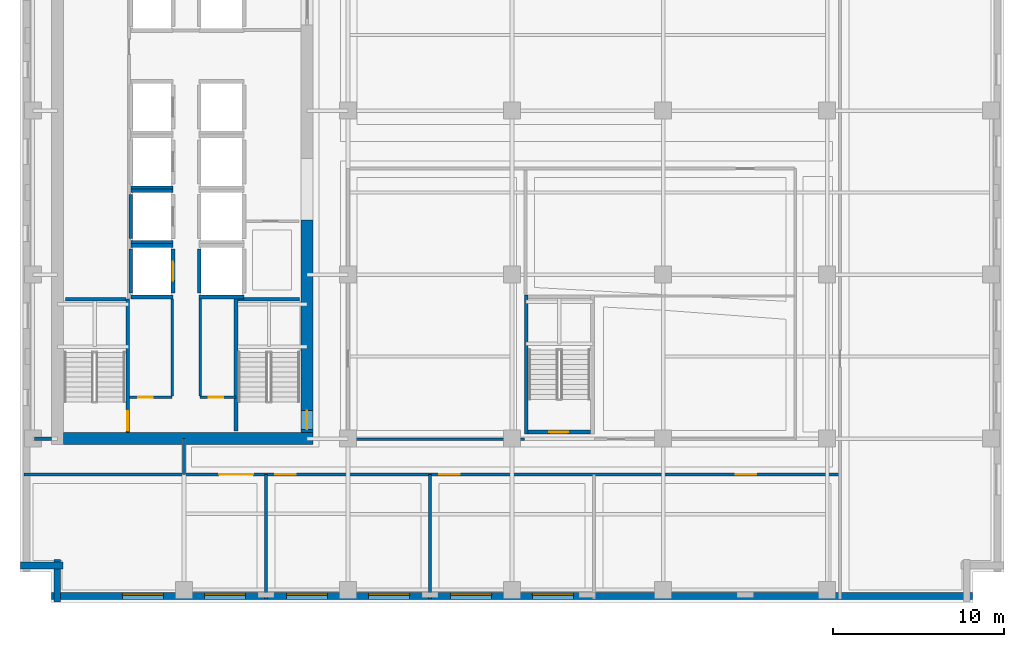
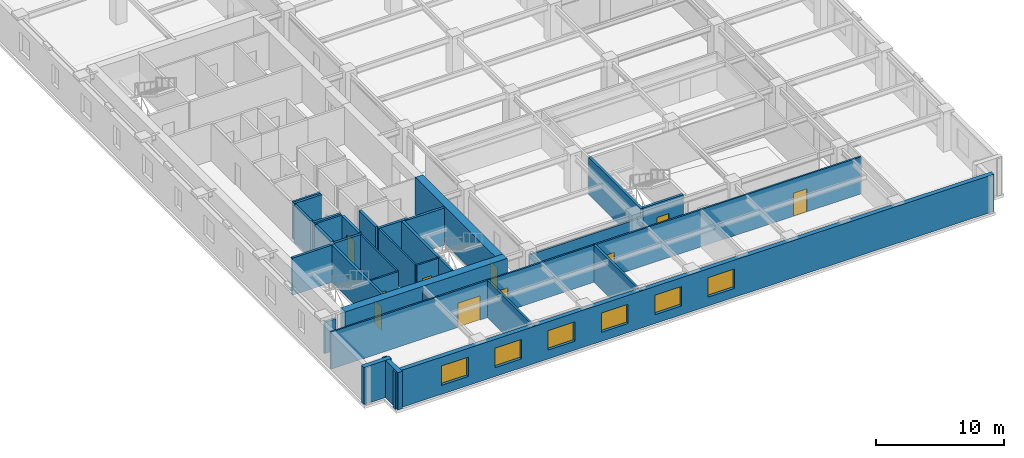
# One storey, part 3 of 11: 31 walls, 10 doors, 6 windows, 16 openings.
"""IFC4 building model written with IfcOpenShell, lengths in metres."""

from ifc_helpers import new_model, si_unit, direction, frame, frame_2d, origin, place, context, subcontext, project, spatial, rectangle, extrude, material, layer, layer_set, type_object, element, fill, save


model = new_model("IFC4")

# Units and contexts
model_context = context("Model", 3, precision=1e-05, world=origin(), true_north=direction((0.0, 1.0)))
body_context = subcontext(model_context, "Body", "Model", "MODEL_VIEW")
ifc_project = project(units=[si_unit("LENGTHUNIT", "METRE"), si_unit("AREAUNIT", "SQUARE_METRE"), si_unit("VOLUMEUNIT", "CUBIC_METRE"), si_unit("PLANEANGLEUNIT", "RADIAN"), si_unit("MASSUNIT", "GRAM", prefix="KILO")], contexts=[model_context])

# Site, building, storey
site_placement = place(None, origin())
site = spatial("IfcSite", under=ifc_project, at=site_placement, CompositionType="ELEMENT")
building_placement = place(site_placement, origin())
building = spatial("IfcBuilding", under=site, at=building_placement, Name="Norrvale University Quadrangle", CompositionType="ELEMENT")
storey_placement = place(building_placement, frame((0.0, 0.0, 120.39990234375)))
storey = spatial("IfcBuildingStorey", under=building, at=storey_placement, Name="L30", CompositionType="ELEMENT", Elevation=120.39990234375)

# Wall
ifc_material_1 = material(Name="Concrete C60/75", Category="concrete")
ifc_layer_1 = layer(ifc_material_1, 0.699951171875, Name="Concrete C60/75")
ifc_layer_set_1 = layer_set([ifc_layer_1], Name="Concrete C60/75")
wall_type_1 = type_object("IfcWallType", Name="Wall Core 700", PredefinedType="SHEAR", material=ifc_layer_set_1)
wall_1_placement = place(storey_placement, frame((2.550048828125, 9.60009765625, 0.0), z_axis=(0.0, 0.0, 1.0), x_axis=(1.0, 0.0, 0.0)))
element("IfcWall", 1, at=wall_1_placement, inside=storey, type_object=wall_type_1, Name="Tower Core Shear Wall L30-S", PredefinedType="SHEAR", context=body_context, shape_type="SweptSolid", body=[
    extrude(rectangle(XDim=14.599853515625, YDim=0.699951171875, at=frame_2d((7.2998046875, 0.0))), origin(), (0.0, 0.0, 1.0), 3.5400390625),
])

# Wall, opening, door
wall_2_placement = place(storey_placement, frame((16.800048828125, 9.949951171875, 0.0), z_axis=(0.0, 0.0, 1.0), x_axis=(0.0, 1.0, 0.0)))
wall_2 = element("IfcWall", 2, at=wall_2_placement, inside=storey, type_object=wall_type_1, Name="Tower Core Shear Wall L30-E1", PredefinedType="SHEAR", context=body_context, shape_type="SweptSolid", body=[
    extrude(rectangle(XDim=12.449951171875, YDim=0.699951171875, at=frame_2d((6.22509765625, 0.0))), origin(), (0.0, 0.0, 1.0), 3.5400390625),
])
opening_1_placement = place(wall_2_placement, frame((0.18994140625, 0.0, 0.0)))
opening_1 = element("IfcOpeningElement", 3, at=opening_1_placement, cuts=wall_2, Name="Opening D02", PredefinedType="OPENING", context=body_context, shape_type="SweptSolid", body=[
    extrude(rectangle(XDim=1.10009765625, YDim=2.199951171875, at=frame_2d((0.550048828125, 1.10009765625))), frame((0.0, 0.362060546875, 0.0), z_axis=(0.0, -1.0, 0.0), x_axis=(1.0, 0.0, 0.0)), (0.0, 0.0, 1.0), 0.723876953125),
])
ifc_material_2 = material(Name="Hollow Steel 350W Fire Door", Category="steel")
door_type_1 = type_object("IfcDoorType", Name="Door Stair Exit 1100x2200", OperationType="NOTDEFINED", PredefinedType="DOOR", material=ifc_material_2)
door_1_placement = place(opening_1_placement, origin())
door_1 = element("IfcDoor", 4, at=door_1_placement, inside=storey, type_object=door_type_1, Name="Door Stair Exit 1100x2200 DR-L30-ST03", OperationType="SINGLE_SWING_LEFT", OverallHeight=2.199951171875, OverallWidth=1.10009765625, PredefinedType="DOOR", context=body_context, shape_type="SweptSolid", body=[
    extrude(rectangle(XDim=1.10009765625, YDim=2.199951171875, at=frame_2d((0.550048828125, 1.10009765625))), frame((0.0, 0.02490234375, 0.0), z_axis=(0.0, -1.0, 0.0), x_axis=(1.0, 0.0, 0.0)), (0.0, 0.0, 1.0), 0.050048828125),
])
fill(opening_1, door_1)

ifc_material_3 = material(Name="Fire-Rated Gypsum Stud Partition")
ifc_layer_2 = layer(ifc_material_3, 0.14990234375, Name="Fire-Rated Gypsum Stud Partition")
ifc_layer_set_2 = layer_set([ifc_layer_2], Name="Fire-Rated Gypsum Stud Partition")
wall_type_2 = type_object("IfcWallType", Name="Wall Gypsum Corridor 150", PredefinedType="PARTITIONING", material=ifc_layer_set_2)
wall_3_placement = place(storey_placement, frame((6.419921875, 12.02001953125, 0.0), z_axis=(0.0, 0.0, 1.0), x_axis=(1.0, 0.0, 0.0)))
wall_3 = element("IfcWall", 5, at=wall_3_placement, inside=storey, type_object=wall_type_2, Name="Interior Partition WL-L30-SC-NL", PredefinedType="PARTITIONING", context=body_context, shape_type="SweptSolid", body=[
    extrude(rectangle(XDim=2.47998046875, YDim=0.14990234375, at=frame_2d((1.239990234375, 0.0))), origin(), (0.0, 0.0, 1.0), 3.5400390625),
])
opening_2_placement = place(wall_3_placement, frame((0.5, 0.0, 0.0)))
opening_2 = element("IfcOpeningElement", 6, at=opening_2_placement, cuts=wall_3, Name="Opening D10", PredefinedType="OPENING", context=body_context, shape_type="SweptSolid", body=[
    extrude(rectangle(XDim=0.85009765625, YDim=2.10009765625, at=frame_2d((0.425048828125, 1.050048828125))), frame((0.0, 0.0869140625, 0.0), z_axis=(0.0, -1.0, 0.0), x_axis=(1.0, 0.0, 0.0)), (0.0, 0.0, 1.0), 0.173828125),
])
ifc_material_4 = material(Name="Hollow Steel 350W Riser Fire Door", Category="steel")
door_type_2 = type_object("IfcDoorType", Name="Door Riser 850x2100", OperationType="NOTDEFINED", PredefinedType="DOOR", material=ifc_material_4)
door_2_placement = place(opening_2_placement, origin())
door_2 = element("IfcDoor", 7, at=door_2_placement, inside=storey, type_object=door_type_2, Name="Door Riser 850x2100 DR-L30-ELEC", OperationType="SINGLE_SWING_LEFT", OverallHeight=2.10009765625, OverallWidth=0.85009765625, PredefinedType="DOOR", context=body_context, shape_type="SweptSolid", body=[
    extrude(rectangle(XDim=0.85009765625, YDim=2.10009765625, at=frame_2d((0.425048828125, 1.050048828125))), frame((0.0, 0.02490234375, 0.0), z_axis=(0.0, -1.0, 0.0), x_axis=(1.0, 0.0, 0.0)), (0.0, 0.0, 1.0), 0.050048828125),
])
fill(opening_2, door_2)

wall_4_placement = place(storey_placement, frame((10.550048828125, 12.02001953125, 0.0), z_axis=(0.0, 0.0, 1.0), x_axis=(1.0, 0.0, 0.0)))
wall_4 = element("IfcWall", 8, at=wall_4_placement, inside=storey, type_object=wall_type_2, Name="Interior Partition WL-L30-SC-NR", PredefinedType="PARTITIONING", context=body_context, shape_type="SweptSolid", body=[
    extrude(rectangle(XDim=2.079833984375, YDim=0.14990234375, at=frame_2d((1.0400390625, 0.0))), origin(), (0.0, 0.0, 1.0), 3.5400390625),
])
opening_3_placement = place(wall_4_placement, frame((0.5, 0.0, 0.0)))
opening_3 = element("IfcOpeningElement", 9, at=opening_3_placement, cuts=wall_4, Name="Opening D10", PredefinedType="OPENING", context=body_context, shape_type="SweptSolid", body=[
    extrude(rectangle(XDim=0.85009765625, YDim=2.10009765625, at=frame_2d((0.425048828125, 1.050048828125))), frame((0.0, 0.0869140625, 0.0), z_axis=(0.0, -1.0, 0.0), x_axis=(1.0, 0.0, 0.0)), (0.0, 0.0, 1.0), 0.173828125),
])
door_3_placement = place(opening_3_placement, origin())
door_3 = element("IfcDoor", 10, at=door_3_placement, inside=storey, type_object=door_type_2, Name="Door Riser 850x2100 DR-L30-IDF", OperationType="SINGLE_SWING_RIGHT", OverallHeight=2.10009765625, OverallWidth=0.85009765625, PredefinedType="DOOR", context=body_context, shape_type="SweptSolid", body=[
    extrude(rectangle(XDim=0.85009765625, YDim=2.10009765625, at=frame_2d((0.425048828125, 1.050048828125))), frame((0.0, 0.02490234375, 0.0), z_axis=(0.0, -1.0, 0.0), x_axis=(1.0, 0.0, 0.0)), (0.0, 0.0, 1.0), 0.050048828125),
])
fill(opening_3, door_3)

# Walls
for number, where, z_axis, x_axis, name in (
    (11, (8.89990234375, 12.094970703125, 0.0), (0.0, 0.0, 1.0), (0.0, 1.0, 0.0), "Interior Partition WL-L30-SC-WL"),
    (12, (10.550048828125, 12.094970703125, 0.0), (0.0, 0.0, 1.0), (0.0, 1.0, 0.0), "Interior Partition WL-L30-SC-WR"),
):
    element("IfcWall", number, at=place(storey_placement, frame(where, z_axis=z_axis, x_axis=x_axis)), inside=storey, type_object=wall_type_2, Name=name, PredefinedType="PARTITIONING", context=body_context, shape_type="SweptSolid", body=[
        extrude(rectangle(XDim=5.679931640625, YDim=0.14990234375, at=frame_2d((2.83984375, 0.0))), origin(), (0.0, 0.0, 1.0), 3.5400390625),
    ])
wall_5_placement = place(storey_placement, frame((9.60009765625, 7.5, 0.0), z_axis=(0.0, 0.0, 1.0), x_axis=(0.0, 1.0, 0.0)))
element("IfcWall", 13, at=wall_5_placement, inside=storey, type_object=wall_type_2, Name="Interior Partition WL-L30-CSW-END", PredefinedType="PARTITIONING", context=body_context, shape_type="SweptSolid", body=[
    extrude(rectangle(XDim=2.10009765625, YDim=0.14990234375, at=frame_2d((1.050048828125, 0.0))), origin(), (0.0, 0.0, 1.0), 2.99609375),
])

# Wall, openings, doors
wall_6_placement = place(storey_placement, frame((0.219970703125, 7.5, 0.0), z_axis=(0.0, 0.0, 1.0), x_axis=(1.0, 0.0, 0.0)))
wall_6 = element("IfcWall", 14, at=wall_6_placement, inside=storey, type_object=wall_type_2, Name="Interior Partition WL-L30-SCW", PredefinedType="PARTITIONING", context=body_context, shape_type="SweptSolid", body=[
    extrude(rectangle(XDim=47.780029296875, YDim=0.14990234375, at=frame_2d((23.89013671875, 0.0))), origin(), (0.0, 0.0, 1.0), 3.5400390625),
])
opening_4_placement = place(wall_6_placement, frame((11.429931640625, 0.0, 0.0)))
opening_4 = element("IfcOpeningElement", 15, at=opening_4_placement, cuts=wall_6, Name="Opening D06", PredefinedType="OPENING", context=body_context, shape_type="SweptSolid", body=[
    extrude(rectangle(XDim=2.0, YDim=2.300048828125, at=frame_2d((1.0, 1.14990234375))), frame((0.0, 0.0869140625, 0.0), z_axis=(0.0, -1.0, 0.0), x_axis=(1.0, 0.0, 0.0)), (0.0, 0.0, 1.0), 0.173828125),
])
opening_5_placement = place(wall_6_placement, frame((14.72998046875, 0.0, 0.0)))
opening_5 = element("IfcOpeningElement", 16, at=opening_5_placement, cuts=wall_6, Name="Opening D05", PredefinedType="OPENING", context=body_context, shape_type="SweptSolid", body=[
    extrude(rectangle(XDim=1.199951171875, YDim=2.199951171875, at=frame_2d((0.60009765625, 1.10009765625))), frame((0.0, 0.0869140625, 0.0), z_axis=(0.0, -1.0, 0.0), x_axis=(1.0, 0.0, 0.0)), (0.0, 0.0, 1.0), 0.173828125),
])
opening_6_placement = place(wall_6_placement, frame((24.330078125, 0.0, 0.0)))
opening_6 = element("IfcOpeningElement", 17, at=opening_6_placement, cuts=wall_6, Name="Opening D05", PredefinedType="OPENING", context=body_context, shape_type="SweptSolid", body=[
    extrude(rectangle(XDim=1.199951171875, YDim=2.199951171875, at=frame_2d((0.60009765625, 1.10009765625))), frame((0.0, 0.0869140625, 0.0), z_axis=(0.0, -1.0, 0.0), x_axis=(1.0, 0.0, 0.0)), (0.0, 0.0, 1.0), 0.173828125),
])
opening_7_placement = place(wall_6_placement, frame((41.679931640625, 0.0, 0.0)))
opening_7 = element("IfcOpeningElement", 18, at=opening_7_placement, cuts=wall_6, Name="Opening D05", PredefinedType="OPENING", context=body_context, shape_type="SweptSolid", body=[
    extrude(rectangle(XDim=1.199951171875, YDim=2.199951171875, at=frame_2d((0.60009765625, 1.10009765625))), frame((0.0, 0.0869140625, 0.0), z_axis=(0.0, -1.0, 0.0), x_axis=(1.0, 0.0, 0.0)), (0.0, 0.0, 1.0), 0.173828125),
])
ifc_material_5 = material(Name="Acoustic Oak Classroom Door", Category="wood")
door_type_3 = type_object("IfcDoorType", Name="Door Classroom 1200x2200", OperationType="NOTDEFINED", PredefinedType="DOOR", material=ifc_material_5)
door_4_placement = place(opening_5_placement, origin())
door_4 = element("IfcDoor", 19, at=door_4_placement, inside=storey, type_object=door_type_3, Name="Door Classroom 1200x2200 DR-L30-S02", OperationType="SINGLE_SWING_RIGHT", OverallHeight=2.199951171875, OverallWidth=1.199951171875, PredefinedType="DOOR", context=body_context, shape_type="SweptSolid", body=[
    extrude(rectangle(XDim=1.199951171875, YDim=2.199951171875, at=frame_2d((0.60009765625, 1.10009765625))), frame((0.0, 0.02490234375, 0.0), z_axis=(0.0, -1.0, 0.0), x_axis=(1.0, 0.0, 0.0)), (0.0, 0.0, 1.0), 0.050048828125),
])
fill(opening_5, door_4)
door_5_placement = place(opening_6_placement, origin())
door_5 = element("IfcDoor", 20, at=door_5_placement, inside=storey, type_object=door_type_3, Name="Door Classroom 1200x2200 DR-L30-S03", OperationType="SINGLE_SWING_LEFT", OverallHeight=2.199951171875, OverallWidth=1.199951171875, PredefinedType="DOOR", context=body_context, shape_type="SweptSolid", body=[
    extrude(rectangle(XDim=1.199951171875, YDim=2.199951171875, at=frame_2d((0.60009765625, 1.10009765625))), frame((0.0, 0.02490234375, 0.0), z_axis=(0.0, -1.0, 0.0), x_axis=(1.0, 0.0, 0.0)), (0.0, 0.0, 1.0), 0.050048828125),
])
fill(opening_6, door_5)
door_6_placement = place(opening_7_placement, origin())
door_6 = element("IfcDoor", 21, at=door_6_placement, inside=storey, type_object=door_type_3, Name="Door Classroom 1200x2200 DR-L30-S04", OperationType="SINGLE_SWING_RIGHT", OverallHeight=2.199951171875, OverallWidth=1.199951171875, PredefinedType="DOOR", context=body_context, shape_type="SweptSolid", body=[
    extrude(rectangle(XDim=1.199951171875, YDim=2.199951171875, at=frame_2d((0.60009765625, 1.10009765625))), frame((0.0, 0.02490234375, 0.0), z_axis=(0.0, -1.0, 0.0), x_axis=(1.0, 0.0, 0.0)), (0.0, 0.0, 1.0), 0.050048828125),
])
fill(opening_7, door_6)
ifc_material_6 = material(Name="Acoustic Oak Double Door", Category="wood")
door_type_4 = type_object("IfcDoorType", Name="Door Lecture Dbl 2000x2300", OperationType="DOUBLE_SWING_LEFT", PredefinedType="DOOR", material=ifc_material_6)
door_7_placement = place(opening_4_placement, origin())
door_7 = element("IfcDoor", 22, at=door_7_placement, inside=storey, type_object=door_type_4, Name="Door Lecture Dbl 2000x2300 DR-L30-S01", OperationType="DOUBLE_SWING_LEFT", OverallHeight=2.300048828125, OverallWidth=2.0, PredefinedType="DOOR", context=body_context, shape_type="SweptSolid", body=[
    extrude(rectangle(XDim=2.0, YDim=2.300048828125, at=frame_2d((1.0, 1.14990234375))), frame((0.0, 0.02490234375, 0.0), z_axis=(0.0, -1.0, 0.0), x_axis=(1.0, 0.0, 0.0)), (0.0, 0.0, 1.0), 0.050048828125),
])
fill(opening_4, door_7)

# Walls
wall_7_placement = place(storey_placement, frame((19.280029296875, 9.550048828125, 0.0), z_axis=(0.0, 0.0, 1.0), x_axis=(1.0, 0.0, 0.0)))
element("IfcWall", 23, at=wall_7_placement, inside=storey, type_object=wall_type_2, Name="Interior Partition WL-L30-ISLS1", PredefinedType="PARTITIONING", context=body_context, shape_type="SweptSolid", body=[
    extrude(rectangle(XDim=10.244873046875, YDim=0.14990234375, at=frame_2d((5.12255859375, 0.0))), origin(), (0.0, 0.0, 1.0), 2.99609375),
])
ifc_material_7 = material(Name="Acoustic Double-Stud Gypsum Partition")
ifc_layer_3 = layer(ifc_material_7, 0.179931640625, Name="Acoustic Double-Stud Gypsum Partition")
ifc_layer_set_3 = layer_set([ifc_layer_3], Name="Acoustic Double-Stud Gypsum Partition")
wall_type_3 = type_object("IfcWallType", Name="Wall Gypsum Lecture 180", PredefinedType="PARTITIONING", material=ifc_layer_set_3)
for number, where, z_axis, x_axis, name in (
    (24, (14.39990234375, 0.219970703125, 0.0), (0.0, 0.0, 1.0), (0.0, 1.0, 0.0), "Interior Partition WL-L30-SP01"),
    (25, (24.0, 0.219970703125, 0.0), (0.0, 0.0, 1.0), (0.0, 1.0, 0.0), "Interior Partition WL-L30-SP02"),
):
    element("IfcWall", number, at=place(storey_placement, frame(where, z_axis=z_axis, x_axis=x_axis)), inside=storey, type_object=wall_type_3, Name=name, PredefinedType="PARTITIONING", context=body_context, shape_type="SweptSolid", body=[
        extrude(rectangle(XDim=7.280029296875, YDim=0.179931640625, at=frame_2d((3.64013671875, 0.0))), origin(), (0.0, 0.0, 1.0), 3.5400390625),
    ])
ifc_material_8 = material(Name="Concrete Blockwork 20 MPa Rated Wall", Category="masonry")
ifc_layer_4 = layer(ifc_material_8, 0.199951171875, Name="Concrete Blockwork 20 MPa Rated Wall")
ifc_layer_set_4 = layer_set([ifc_layer_4], Name="Concrete Blockwork 20 MPa Rated Wall")
wall_type_4 = type_object("IfcWallType", Name="Wall Lobby 200", PredefinedType="SOLIDWALL", material=ifc_layer_set_4)
wall_8_placement = place(storey_placement, frame((0.85009765625, 9.60009765625, 0.0), z_axis=(0.0, 0.0, 1.0), x_axis=(1.0, 0.0, 0.0)))
element("IfcWall", 26, at=wall_8_placement, inside=storey, type_object=wall_type_4, Name="Interior Partition WL-L30-CWRET-S", PredefinedType="SOLIDWALL", context=body_context, shape_type="SweptSolid", body=[
    extrude(rectangle(XDim=0.994873046875, YDim=0.199951171875, at=frame_2d((0.49755859375, 0.0))), origin(), (0.0, 0.0, 1.0), 2.99609375),
])

# Wall, openings, windows
ifc_material_9 = material(Name="Red Manganese Brick Masonry", Category="masonry")
ifc_layer_5 = layer(ifc_material_9, 0.39990234375, Name="Red Manganese Brick Masonry")
ifc_layer_set_5 = layer_set([ifc_layer_5], Name="Red Manganese Brick Masonry")
wall_type_5 = type_object("IfcWallType", Name="Wall Red Brick 400", PredefinedType="SOLIDWALL", material=ifc_layer_set_5)
wall_9_placement = place(storey_placement, frame((1.840087890625, 0.3798828125, 0.0), z_axis=(0.0, 0.0, 1.0), x_axis=(1.0, 0.0, 0.0)))
wall_9 = element("IfcWall", 27, at=wall_9_placement, inside=storey, type_object=wall_type_5, Name="Exterior Brick Facade Wall L30-01.1", PredefinedType="SOLIDWALL", context=body_context, shape_type="SweptSolid", body=[
    extrude(rectangle(XDim=53.919921875, YDim=0.39990234375, at=frame_2d((26.9599609375, 0.0))), origin(), (0.0, 0.0, 1.0), 3.5400390625),
])
opening_8_placement = place(wall_9_placement, frame((4.159912109375, 0.0, 0.85009765625)))
opening_8 = element("IfcOpeningElement", 28, at=opening_8_placement, cuts=wall_9, Name="Opening W02", PredefinedType="OPENING", context=body_context, shape_type="SweptSolid", body=[
    extrude(rectangle(XDim=2.39990234375, YDim=1.85009765625, at=frame_2d((1.199951171875, 0.925048828125))), frame((0.0, 0.2119140625, 0.0), z_axis=(0.0, -1.0, 0.0), x_axis=(1.0, 0.0, 0.0)), (0.0, 0.0, 1.0), 0.423828125),
])
opening_9_placement = place(wall_9_placement, frame((8.9599609375, 0.0, 0.85009765625)))
opening_9 = element("IfcOpeningElement", 29, at=opening_9_placement, cuts=wall_9, Name="Opening W02", PredefinedType="OPENING", context=body_context, shape_type="SweptSolid", body=[
    extrude(rectangle(XDim=2.39990234375, YDim=1.85009765625, at=frame_2d((1.199951171875, 0.925048828125))), frame((0.0, 0.2119140625, 0.0), z_axis=(0.0, -1.0, 0.0), x_axis=(1.0, 0.0, 0.0)), (0.0, 0.0, 1.0), 0.423828125),
])
opening_10_placement = place(wall_9_placement, frame((13.760009765625, 0.0, 0.85009765625)))
opening_10 = element("IfcOpeningElement", 30, at=opening_10_placement, cuts=wall_9, Name="Opening W02", PredefinedType="OPENING", context=body_context, shape_type="SweptSolid", body=[
    extrude(rectangle(XDim=2.39990234375, YDim=1.85009765625, at=frame_2d((1.199951171875, 0.925048828125))), frame((0.0, 0.2119140625, 0.0), z_axis=(0.0, -1.0, 0.0), x_axis=(1.0, 0.0, 0.0)), (0.0, 0.0, 1.0), 0.423828125),
])
opening_11_placement = place(wall_9_placement, frame((18.56005859375, 0.0, 0.85009765625)))
opening_11 = element("IfcOpeningElement", 31, at=opening_11_placement, cuts=wall_9, Name="Opening W02", PredefinedType="OPENING", context=body_context, shape_type="SweptSolid", body=[
    extrude(rectangle(XDim=2.39990234375, YDim=1.85009765625, at=frame_2d((1.199951171875, 0.925048828125))), frame((0.0, 0.2119140625, 0.0), z_axis=(0.0, -1.0, 0.0), x_axis=(1.0, 0.0, 0.0)), (0.0, 0.0, 1.0), 0.423828125),
])
opening_12_placement = place(wall_9_placement, frame((23.360107421875, 0.0, 0.85009765625)))
opening_12 = element("IfcOpeningElement", 32, at=opening_12_placement, cuts=wall_9, Name="Opening W02", PredefinedType="OPENING", context=body_context, shape_type="SweptSolid", body=[
    extrude(rectangle(XDim=2.39990234375, YDim=1.85009765625, at=frame_2d((1.199951171875, 0.925048828125))), frame((0.0, 0.2119140625, 0.0), z_axis=(0.0, -1.0, 0.0), x_axis=(1.0, 0.0, 0.0)), (0.0, 0.0, 1.0), 0.423828125),
])
opening_13_placement = place(wall_9_placement, frame((28.159912109375, 0.0, 0.85009765625)))
opening_13 = element("IfcOpeningElement", 33, at=opening_13_placement, cuts=wall_9, Name="Opening W02", PredefinedType="OPENING", context=body_context, shape_type="SweptSolid", body=[
    extrude(rectangle(XDim=2.39990234375, YDim=1.85009765625, at=frame_2d((1.199951171875, 0.925048828125))), frame((0.0, 0.2119140625, 0.0), z_axis=(0.0, -1.0, 0.0), x_axis=(1.0, 0.0, 0.0)), (0.0, 0.0, 1.0), 0.423828125),
])
ifc_material_10 = material(Name="Triple Low-E Argon Glazing", Category="glass")
window_type = type_object("IfcWindowType", Name="Window Academic 2400x2300", PartitioningType="TRIPLE_PANEL_VERTICAL", PredefinedType="WINDOW", material=ifc_material_10)
window_1_placement = place(opening_8_placement, origin())
window_1 = element("IfcWindow", 34, at=window_1_placement, inside=storey, type_object=window_type, Name="Window Academic 2400x2300 WIN-L30-E01-1-01", OverallHeight=1.85009765625, OverallWidth=2.39990234375, PartitioningType="TRIPLE_PANEL_VERTICAL", PredefinedType="WINDOW", context=body_context, shape_type="SweptSolid", body=[
    extrude(rectangle(XDim=2.39990234375, YDim=1.85009765625, at=frame_2d((1.199951171875, 0.925048828125))), frame((0.0, 0.110107421875, 0.0), z_axis=(0.0, -1.0, 0.0), x_axis=(1.0, 0.0, 0.0)), (0.0, 0.0, 1.0), 0.06005859375),
])
fill(opening_8, window_1)
window_2_placement = place(opening_9_placement, origin())
window_2 = element("IfcWindow", 35, at=window_2_placement, inside=storey, type_object=window_type, Name="Window Academic 2400x2300 WIN-L30-E01-1-02", OverallHeight=1.85009765625, OverallWidth=2.39990234375, PartitioningType="TRIPLE_PANEL_VERTICAL", PredefinedType="WINDOW", context=body_context, shape_type="SweptSolid", body=[
    extrude(rectangle(XDim=2.39990234375, YDim=1.85009765625, at=frame_2d((1.199951171875, 0.925048828125))), frame((0.0, 0.110107421875, 0.0), z_axis=(0.0, -1.0, 0.0), x_axis=(1.0, 0.0, 0.0)), (0.0, 0.0, 1.0), 0.06005859375),
])
fill(opening_9, window_2)
window_3_placement = place(opening_10_placement, origin())
window_3 = element("IfcWindow", 36, at=window_3_placement, inside=storey, type_object=window_type, Name="Window Academic 2400x2300 WIN-L30-E01-1-03", OverallHeight=1.85009765625, OverallWidth=2.39990234375, PartitioningType="TRIPLE_PANEL_VERTICAL", PredefinedType="WINDOW", context=body_context, shape_type="SweptSolid", body=[
    extrude(rectangle(XDim=2.39990234375, YDim=1.85009765625, at=frame_2d((1.199951171875, 0.925048828125))), frame((0.0, 0.110107421875, 0.0), z_axis=(0.0, -1.0, 0.0), x_axis=(1.0, 0.0, 0.0)), (0.0, 0.0, 1.0), 0.06005859375),
])
fill(opening_10, window_3)
window_4_placement = place(opening_11_placement, origin())
window_4 = element("IfcWindow", 37, at=window_4_placement, inside=storey, type_object=window_type, Name="Window Academic 2400x2300 WIN-L30-E01-1-04", OverallHeight=1.85009765625, OverallWidth=2.39990234375, PartitioningType="TRIPLE_PANEL_VERTICAL", PredefinedType="WINDOW", context=body_context, shape_type="SweptSolid", body=[
    extrude(rectangle(XDim=2.39990234375, YDim=1.85009765625, at=frame_2d((1.199951171875, 0.925048828125))), frame((0.0, 0.110107421875, 0.0), z_axis=(0.0, -1.0, 0.0), x_axis=(1.0, 0.0, 0.0)), (0.0, 0.0, 1.0), 0.06005859375),
])
fill(opening_11, window_4)
window_5_placement = place(opening_12_placement, origin())
window_5 = element("IfcWindow", 38, at=window_5_placement, inside=storey, type_object=window_type, Name="Window Academic 2400x2300 WIN-L30-E01-1-05", OverallHeight=1.85009765625, OverallWidth=2.39990234375, PartitioningType="TRIPLE_PANEL_VERTICAL", PredefinedType="WINDOW", context=body_context, shape_type="SweptSolid", body=[
    extrude(rectangle(XDim=2.39990234375, YDim=1.85009765625, at=frame_2d((1.199951171875, 0.925048828125))), frame((0.0, 0.110107421875, 0.0), z_axis=(0.0, -1.0, 0.0), x_axis=(1.0, 0.0, 0.0)), (0.0, 0.0, 1.0), 0.06005859375),
])
fill(opening_12, window_5)
window_6_placement = place(opening_13_placement, origin())
window_6 = element("IfcWindow", 39, at=window_6_placement, inside=storey, type_object=window_type, Name="Window Academic 2400x2300 WIN-L30-E01-1-06", OverallHeight=1.85009765625, OverallWidth=2.39990234375, PartitioningType="TRIPLE_PANEL_VERTICAL", PredefinedType="WINDOW", context=body_context, shape_type="SweptSolid", body=[
    extrude(rectangle(XDim=2.39990234375, YDim=1.85009765625, at=frame_2d((1.199951171875, 0.925048828125))), frame((0.0, 0.110107421875, 0.0), z_axis=(0.0, -1.0, 0.0), x_axis=(1.0, 0.0, 0.0)), (0.0, 0.0, 1.0), 0.06005859375),
])
fill(opening_13, window_6)

# Walls
for number, where, z_axis, x_axis, name in (
    (40, (0.0400390625, 2.179931640625, 0.0), (0.0, 0.0, 1.0), (1.0, 0.0, 0.0), "Exterior Brick Facade Wall L30-15.1"),
    (41, (2.179931640625, 2.52001953125, 0.0), (0.0, 0.0, 1.0), (0.0, -1.0, 0.0), "Exterior Brick Facade Wall L30-16.1"),
):
    element("IfcWall", number, at=place(storey_placement, frame(where, z_axis=z_axis, x_axis=x_axis)), inside=storey, type_object=wall_type_5, Name=name, PredefinedType="SOLIDWALL", context=body_context, shape_type="SweptSolid", body=[
        extrude(rectangle(XDim=2.47998046875, YDim=0.39990234375, at=frame_2d((1.239990234375, 0.0))), origin(), (0.0, 0.0, 1.0), 3.5400390625),
    ])

# Wall, opening, door
ifc_material_11 = material(Name="Concrete Blockwork 20 MPa Fire Shaft", Category="masonry")
ifc_layer_6 = layer(ifc_material_11, 0.219970703125, Name="Concrete Blockwork 20 MPa Fire Shaft")
ifc_layer_set_6 = layer_set([ifc_layer_6], Name="Concrete Blockwork 20 MPa Fire Shaft")
wall_type_6 = type_object("IfcWallType", Name="Wall Shaft 220", PredefinedType="SOLIDWALL", material=ifc_layer_set_6)
wall_10_placement = place(storey_placement, frame((6.31005859375, 9.949951171875, 0.0), z_axis=(0.0, 0.0, 1.0), x_axis=(0.0, 1.0, 0.0)))
wall_10 = element("IfcWall", 42, at=wall_10_placement, inside=storey, type_object=wall_type_6, Name="Stair ST-01 East Shaft Wall L30", PredefinedType="SOLIDWALL", context=body_context, shape_type="SweptSolid", body=[
    extrude(rectangle(XDim=7.81005859375, YDim=0.219970703125, at=frame_2d((3.905029296875, 0.0))), origin(), (0.0, 0.0, 1.0), 3.5400390625),
])
opening_14_placement = place(wall_10_placement, frame((0.139892578125, 0.0, 0.0)))
opening_14 = element("IfcOpeningElement", 43, at=opening_14_placement, cuts=wall_10, Name="Opening D02", PredefinedType="OPENING", context=body_context, shape_type="SweptSolid", body=[
    extrude(rectangle(XDim=1.10009765625, YDim=2.199951171875, at=frame_2d((0.550048828125, 1.10009765625))), frame((0.0, 0.1220703125, 0.0), z_axis=(0.0, -1.0, 0.0), x_axis=(1.0, 0.0, 0.0)), (0.0, 0.0, 1.0), 0.243896484375),
])
door_8_placement = place(opening_14_placement, origin())
door_8 = element("IfcDoor", 44, at=door_8_placement, inside=storey, type_object=door_type_1, Name="Door Stair Exit 1100x2200 DR-L30-ST01", OperationType="SINGLE_SWING_LEFT", OverallHeight=2.199951171875, OverallWidth=1.10009765625, PredefinedType="DOOR", context=body_context, shape_type="SweptSolid", body=[
    extrude(rectangle(XDim=1.10009765625, YDim=2.199951171875, at=frame_2d((0.550048828125, 1.10009765625))), frame((0.0, 0.02490234375, 0.0), z_axis=(0.0, -1.0, 0.0), x_axis=(1.0, 0.0, 0.0)), (0.0, 0.0, 1.0), 0.050048828125),
])
fill(opening_14, door_8)

# Walls
wall_11_placement = place(storey_placement, frame((2.64990234375, 17.760009765625, 0.0), z_axis=(0.0, 0.0, 1.0), x_axis=(1.0, 0.0, 0.0)))
element("IfcWall", 45, at=wall_11_placement, inside=storey, type_object=wall_type_6, Name="Stair ST-01 North Shaft Wall L30", PredefinedType="SOLIDWALL", context=body_context, shape_type="SweptSolid", body=[
    extrude(rectangle(XDim=3.550048828125, YDim=0.219970703125, at=frame_2d((1.77490234375, 0.0))), origin(), (0.0, 0.0, 1.0), 3.5400390625),
])
wall_12_placement = place(storey_placement, frame((12.639892578125, 10.050048828125, 0.0), z_axis=(0.0, 0.0, 1.0), x_axis=(0.0, 1.0, 0.0)))
element("IfcWall", 46, at=wall_12_placement, inside=storey, type_object=wall_type_6, Name="Stair ST-03 West Shaft Wall L30", PredefinedType="SOLIDWALL", context=body_context, shape_type="SweptSolid", body=[
    extrude(rectangle(XDim=7.7099609375, YDim=0.219970703125, at=frame_2d((3.85498046875, 0.0))), origin(), (0.0, 0.0, 1.0), 3.5400390625),
])
wall_13_placement = place(storey_placement, frame((12.75, 17.760009765625, 0.0), z_axis=(0.0, 0.0, 1.0), x_axis=(1.0, 0.0, 0.0)))
element("IfcWall", 47, at=wall_13_placement, inside=storey, type_object=wall_type_6, Name="Stair ST-03 North Shaft Wall L30", PredefinedType="SOLIDWALL", context=body_context, shape_type="SweptSolid", body=[
    extrude(rectangle(XDim=3.60009765625, YDim=0.219970703125, at=frame_2d((1.800048828125, 0.0))), origin(), (0.0, 0.0, 1.0), 3.5400390625),
])

# Wall, opening, door
wall_14_placement = place(storey_placement, frame((29.75, 9.989990234375, 0.0), z_axis=(0.0, 0.0, 1.0), x_axis=(1.0, 0.0, 0.0)))
wall_14 = element("IfcWall", 48, at=wall_14_placement, inside=storey, type_object=wall_type_6, Name="Stair ST-04 South Shaft Wall L30", PredefinedType="SOLIDWALL", context=body_context, shape_type="SweptSolid", body=[
    extrude(rectangle(XDim=3.64990234375, YDim=0.219970703125, at=frame_2d((1.824951171875, 0.0))), origin(), (0.0, 0.0, 1.0), 3.5400390625),
])
opening_15_placement = place(wall_14_placement, frame((1.239990234375, 0.0, 0.0)))
opening_15 = element("IfcOpeningElement", 49, at=opening_15_placement, cuts=wall_14, Name="Opening D02", PredefinedType="OPENING", context=body_context, shape_type="SweptSolid", body=[
    extrude(rectangle(XDim=1.10009765625, YDim=2.199951171875, at=frame_2d((0.550048828125, 1.10009765625))), frame((0.0, 0.1220703125, 0.0), z_axis=(0.0, -1.0, 0.0), x_axis=(1.0, 0.0, 0.0)), (0.0, 0.0, 1.0), 0.243896484375),
])
door_9_placement = place(opening_15_placement, origin())
door_9 = element("IfcDoor", 50, at=door_9_placement, inside=storey, type_object=door_type_1, Name="Door Stair Exit 1100x2200 DR-L30-ST04", OperationType="SINGLE_SWING_LEFT", OverallHeight=2.199951171875, OverallWidth=1.10009765625, PredefinedType="DOOR", context=body_context, shape_type="SweptSolid", body=[
    extrude(rectangle(XDim=1.10009765625, YDim=2.199951171875, at=frame_2d((0.550048828125, 1.10009765625))), frame((0.0, 0.02490234375, 0.0), z_axis=(0.0, -1.0, 0.0), x_axis=(1.0, 0.0, 0.0)), (0.0, 0.0, 1.0), 0.050048828125),
])
fill(opening_15, door_9)

# Walls
wall_15_placement = place(storey_placement, frame((29.639892578125, 9.8798828125, 0.0), z_axis=(0.0, 0.0, 1.0), x_axis=(0.0, 1.0, 0.0)))
element("IfcWall", 51, at=wall_15_placement, inside=storey, type_object=wall_type_6, Name="Stair ST-04 West Shaft Wall L30", PredefinedType="SOLIDWALL", context=body_context, shape_type="SweptSolid", body=[
    extrude(rectangle(XDim=8.14013671875, YDim=0.219970703125, at=frame_2d((4.070068359375, 0.0))), origin(), (0.0, 0.0, 1.0), 3.5400390625),
])
wall_16_placement = place(storey_placement, frame((6.489990234375, 18.110107421875, 0.0), z_axis=(0.0, 0.0, 1.0), x_axis=(0.0, 1.0, 0.0)))
element("IfcWall", 52, at=wall_16_placement, inside=storey, type_object=wall_type_6, Name="Hoistway PL-01 West Wall L30", PredefinedType="SOLIDWALL", context=body_context, shape_type="SweptSolid", body=[
    extrude(rectangle(XDim=2.579833984375, YDim=0.219970703125, at=frame_2d((1.2900390625, 0.0))), origin(), (0.0, 0.0, 1.0), 3.5400390625),
])

# Wall, opening, door
wall_17_placement = place(storey_placement, frame((8.9599609375, 18.110107421875, 0.0), z_axis=(0.0, 0.0, 1.0), x_axis=(0.0, 1.0, 0.0)))
wall_17 = element("IfcWall", 53, at=wall_17_placement, inside=storey, type_object=wall_type_6, Name="Hoistway PL-01 East Wall L30", PredefinedType="SOLIDWALL", context=body_context, shape_type="SweptSolid", body=[
    extrude(rectangle(XDim=2.579833984375, YDim=0.219970703125, at=frame_2d((1.2900390625, 0.0))), origin(), (0.0, 0.0, 1.0), 3.5400390625),
])
opening_16_placement = place(wall_17_placement, frame((0.739990234375, 0.0, 0.0)))
opening_16 = element("IfcOpeningElement", 54, at=opening_16_placement, cuts=wall_17, Name="Opening LD1", PredefinedType="OPENING", context=body_context, shape_type="SweptSolid", body=[
    extrude(rectangle(XDim=1.10009765625, YDim=2.199951171875, at=frame_2d((0.550048828125, 1.10009765625))), frame((0.0, 0.1220703125, 0.0), z_axis=(0.0, -1.0, 0.0), x_axis=(1.0, 0.0, 0.0)), (0.0, 0.0, 1.0), 0.243896484375),
])
ifc_material_12 = material(Name="Stainless Steel 316L Lift Landing Door", Category="steel")
door_type_5 = type_object("IfcDoorType", Name="Door Lift Landing 1100x2200", OperationType="DOUBLE_DOOR_SLIDING", PredefinedType="DOOR", material=ifc_material_12)
door_10_placement = place(opening_16_placement, origin())
door_10 = element("IfcDoor", 55, at=door_10_placement, inside=storey, type_object=door_type_5, Name="Elevator Landing Door DR-L30-PL-01", OperationType="DOUBLE_DOOR_SLIDING", OverallHeight=2.199951171875, OverallWidth=1.10009765625, PredefinedType="DOOR", context=body_context, shape_type="SweptSolid", body=[
    extrude(rectangle(XDim=1.10009765625, YDim=2.199951171875, at=frame_2d((0.550048828125, 1.10009765625))), frame((0.0, 0.02490234375, 0.0), z_axis=(0.0, -1.0, 0.0), x_axis=(1.0, 0.0, 0.0)), (0.0, 0.0, 1.0), 0.050048828125),
])
fill(opening_16, door_10)

# Walls
for number, where, z_axis, x_axis, name in (
    (56, (6.489990234375, 17.889892578125, 0.0), (0.0, 0.0, 1.0), (1.0, 0.0, 0.0), "Hoistway PL-01 South Wall L30"),
    (57, (6.489990234375, 20.909912109375, 0.0), (0.0, 0.0, 1.0), (1.0, 0.0, 0.0), "Hoistway PL-01 North Wall L30"),
):
    element("IfcWall", number, at=place(storey_placement, frame(where, z_axis=z_axis, x_axis=x_axis)), inside=storey, type_object=wall_type_6, Name=name, PredefinedType="SOLIDWALL", context=body_context, shape_type="SweptSolid", body=[
        extrude(rectangle(XDim=2.469970703125, YDim=0.219970703125, at=frame_2d((1.23486328125, 0.0))), origin(), (0.0, 0.0, 1.0), 3.5400390625),
    ])
wall_18_placement = place(storey_placement, frame((6.489990234375, 21.31005859375, 0.0), z_axis=(0.0, 0.0, 1.0), x_axis=(0.0, 1.0, 0.0)))
element("IfcWall", 58, at=wall_18_placement, inside=storey, type_object=wall_type_6, Name="Hoistway PL-02 West Wall L30", PredefinedType="SOLIDWALL", context=body_context, shape_type="SweptSolid", body=[
    extrude(rectangle(XDim=2.579833984375, YDim=0.219970703125, at=frame_2d((1.2900390625, 0.0))), origin(), (0.0, 0.0, 1.0), 3.5400390625),
])
for number, where, z_axis, x_axis, name in (
    (59, (6.489990234375, 21.090087890625, 0.0), (0.0, 0.0, 1.0), (1.0, 0.0, 0.0), "Hoistway PL-02 South Wall L30"),
    (60, (6.489990234375, 24.110107421875, 0.0), (0.0, 0.0, 1.0), (1.0, 0.0, 0.0), "Hoistway PL-02 North Wall L30"),
    (61, (6.489990234375, 24.2900390625, 0.0), (0.0, 0.0, 1.0), (1.0, 0.0, 0.0), "Hoistway PL-03 South Wall L30"),
):
    element("IfcWall", number, at=place(storey_placement, frame(where, z_axis=z_axis, x_axis=x_axis)), inside=storey, type_object=wall_type_6, Name=name, PredefinedType="SOLIDWALL", context=body_context, shape_type="SweptSolid", body=[
        extrude(rectangle(XDim=2.469970703125, YDim=0.219970703125, at=frame_2d((1.23486328125, 0.0))), origin(), (0.0, 0.0, 1.0), 3.5400390625),
    ])
wall_19_placement = place(storey_placement, frame((10.489990234375, 18.110107421875, 0.0), z_axis=(0.0, 0.0, 1.0), x_axis=(0.0, 1.0, 0.0)))
element("IfcWall", 62, at=wall_19_placement, inside=storey, type_object=wall_type_6, Name="Hoistway PL-05 West Wall L30", PredefinedType="SOLIDWALL", context=body_context, shape_type="SweptSolid", body=[
    extrude(rectangle(XDim=2.579833984375, YDim=0.219970703125, at=frame_2d((1.2900390625, 0.0))), origin(), (0.0, 0.0, 1.0), 3.5400390625),
])
wall_20_placement = place(storey_placement, frame((10.489990234375, 17.889892578125, 0.0), z_axis=(0.0, 0.0, 1.0), x_axis=(1.0, 0.0, 0.0)))
element("IfcWall", 63, at=wall_20_placement, inside=storey, type_object=wall_type_6, Name="Hoistway PL-05 South Wall L30", PredefinedType="SOLIDWALL", context=body_context, shape_type="SweptSolid", body=[
    extrude(rectangle(XDim=2.6201171875, YDim=0.219970703125, at=frame_2d((1.31005859375, 0.0))), origin(), (0.0, 0.0, 1.0), 3.5400390625),
])

save(model, "model.ifc")
